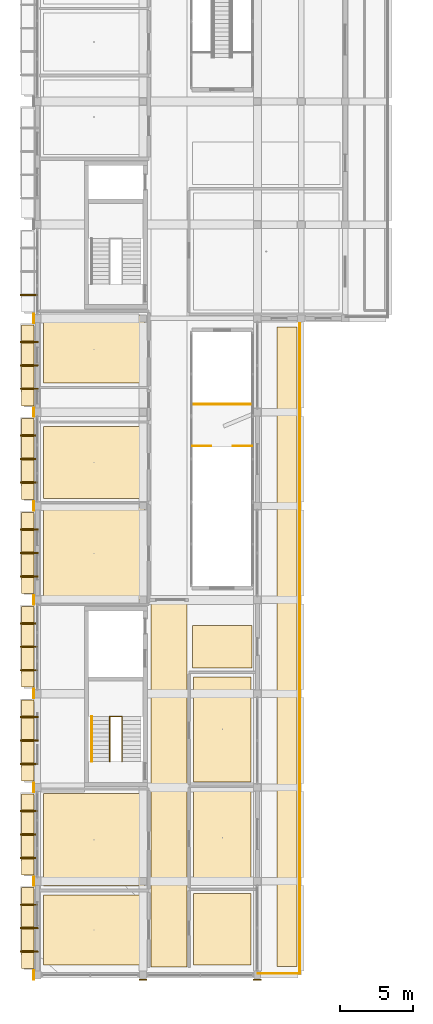
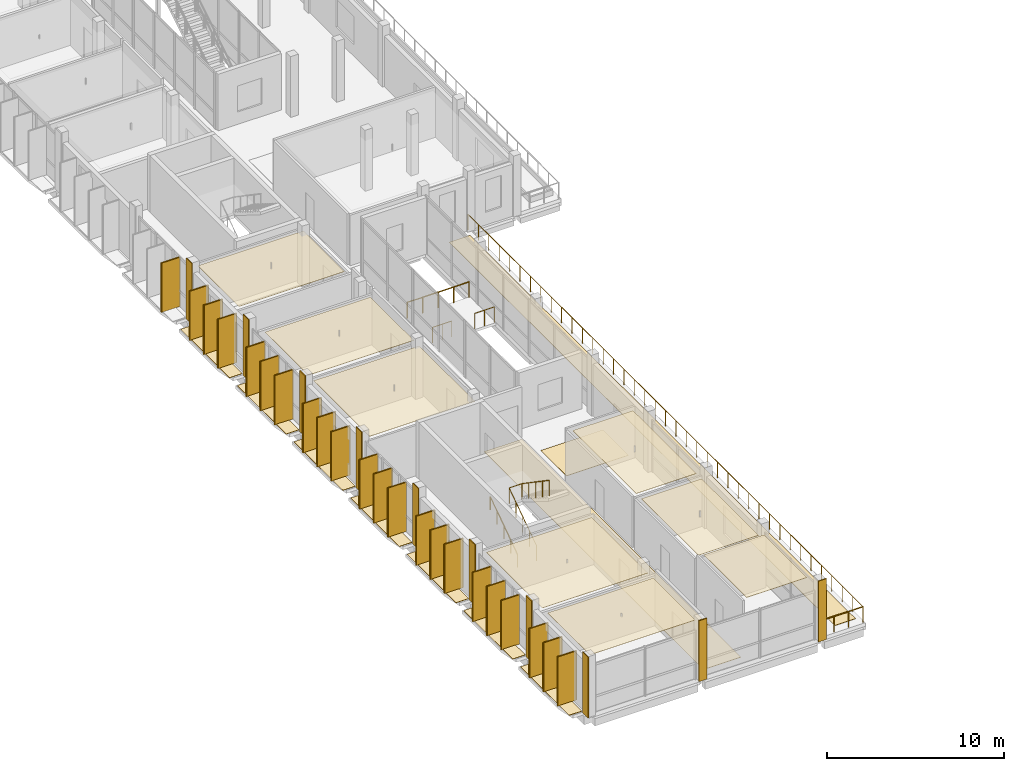
# One storey, part 73 of 85: 50 coverings, 22 shading devices, 7 railings.
"""IFC4 building model written with IfcOpenShell, lengths in metres."""

from ifc_helpers import new_model, si_unit, derived_unit, direction, frame, origin, origin_2d, place, context, subcontext, project, spatial, polyline, rectangle, circle, outline, extrude, material, layer, layer_set, type_object, element, save


model = new_model("IFC4")

# Units and contexts
model_context = context("Model", 3, precision=1e-05, world=origin(), true_north=direction((0.0, 1.0)))
body_context = subcontext(model_context, "Body", "Model", "MODEL_VIEW")
ifc_project = project(units=[si_unit("LENGTHUNIT", "METRE"), si_unit("AREAUNIT", "SQUARE_METRE"), si_unit("VOLUMEUNIT", "CUBIC_METRE"), si_unit("PLANEANGLEUNIT", "RADIAN"), si_unit("MASSUNIT", "GRAM", prefix="KILO"), derived_unit("THERMALTRANSMITTANCEUNIT", [(si_unit("POWERUNIT", "WATT"), 1), (si_unit("LENGTHUNIT", "METRE"), -2), (si_unit("THERMODYNAMICTEMPERATUREUNIT", "KELVIN"), -1)])], contexts=[model_context])

# Site, building, storey
site_placement = place(None, origin())
site = spatial("IfcSite", under=ifc_project, at=site_placement, CompositionType="ELEMENT")
building_placement = place(site_placement, origin())
building = spatial("IfcBuilding", under=site, at=building_placement, Name="Braskholm Square Health Centre", CompositionType="ELEMENT")
storey_placement = place(building_placement, frame((0.0, 0.0, 9.300048828125)))
storey = spatial("IfcBuildingStorey", under=building, at=storey_placement, Name="L03", CompositionType="ELEMENT", Elevation=9.300048828125)

# Coverings
ifc_material_1 = material(Name="Fire-rated gypsum board barrier")
ifc_layer_1 = layer(ifc_material_1, 0.02490234375)
ifc_layer_set_1 = layer_set([ifc_layer_1], Name="Fire-rated gypsum board barrier")
covering_type_1 = type_object("IfcCoveringType", Name="AcousticClinicalCeilingTile", PredefinedType="CEILING", material=ifc_layer_set_1)
covering_1_placement = place(storey_placement, frame((0.0, 0.0, 3.48486328125)))
element("IfcCovering", 1, at=covering_1_placement, inside=storey, type_object=covering_type_1, Name="Acoustic ceiling L03-070", PredefinedType="CEILING", context=body_context, shape_type="SweptSolid", body=[
    extrude(outline(polyline([(4.6201171875, 4.89990234375), (11.5, 4.89990234375), (11.5, 9.669921875), (4.6201171875, 9.669921875), (4.6201171875, 4.89990234375)])), origin(), (0.0, 0.0, 1.0), 0.025146484375),
])
covering_2_placement = place(storey_placement, frame((0.0, 0.0, 3.46484375)))
element("IfcCovering", 2, at=covering_2_placement, inside=storey, type_object=covering_type_1, Name="Acoustic ceiling L03-071", PredefinedType="CEILING", context=body_context, shape_type="SweptSolid", body=[
    extrude(outline(polyline([(4.6201171875, 10.27001953125), (11.5, 10.27001953125), (11.5, 16.60009765625), (4.6201171875, 16.60009765625), (4.6201171875, 10.27001953125)])), origin(), (0.0, 0.0, 1.0), 0.025146484375),
])
covering_3_placement = place(storey_placement, frame((0.0, 0.0, 3.46484375)))
element("IfcCovering", 3, at=covering_3_placement, inside=storey, type_object=covering_type_1, Name="Acoustic ceiling L03-072", PredefinedType="CEILING", context=body_context, shape_type="SweptSolid", body=[
    extrude(outline(polyline([(4.6201171875, 29.800048828125), (11.5, 29.800048828125), (11.5, 36.1201171875), (4.6201171875, 36.1201171875), (4.6201171875, 29.800048828125)])), origin(), (0.0, 0.0, 1.0), 0.025146484375),
])
covering_4_placement = place(storey_placement, frame((0.0, 0.0, 3.48486328125)))
element("IfcCovering", 4, at=covering_4_placement, inside=storey, type_object=covering_type_1, Name="Acoustic ceiling L03-073", PredefinedType="CEILING", context=body_context, shape_type="SweptSolid", body=[
    extrude(outline(polyline([(4.6201171875, 36.719970703125), (11.5, 36.719970703125), (11.5, 41.6298828125), (4.6201171875, 41.6298828125), (4.6201171875, 36.719970703125)])), origin(), (0.0, 0.0, 1.0), 0.025146484375),
])
covering_5_placement = place(storey_placement, frame((0.0, 0.0, 3.46484375)))
element("IfcCovering", 5, at=covering_5_placement, inside=storey, type_object=covering_type_1, Name="Acoustic ceiling L03-075", PredefinedType="CEILING", context=body_context, shape_type="SweptSolid", body=[
    extrude(outline(polyline([(4.6201171875, 44.580078125), (11.5, 44.580078125), (11.5, 49.199951171875), (4.6201171875, 49.199951171875), (4.6201171875, 44.580078125)])), origin(), (0.0, 0.0, 1.0), 0.025146484375),
])
covering_6_placement = place(storey_placement, frame((0.0, 0.0, 3.864990234375)))
element("IfcCovering", 6, at=covering_6_placement, inside=storey, type_object=covering_type_1, Name="Acoustic ceiling L03-090", PredefinedType="CEILING", context=body_context, shape_type="SweptSolid", body=[
    extrude(outline(polyline([(14.85009765625, 4.89990234375), (18.780029296875, 4.89990234375), (18.780029296875, 9.760009765625), (14.85009765625, 9.760009765625), (14.85009765625, 4.89990234375)])), origin(), (0.0, 0.0, 1.0), 0.02490234375),
])
covering_7_placement = place(storey_placement, frame((0.0, 0.0, 3.46484375)))
element("IfcCovering", 7, at=covering_7_placement, inside=storey, type_object=covering_type_1, Name="Acoustic ceiling L03-091", PredefinedType="CEILING", context=body_context, shape_type="SweptSolid", body=[
    extrude(outline(polyline([(14.85009765625, 10.360107421875), (18.780029296875, 10.360107421875), (18.780029296875, 16.7900390625), (14.85009765625, 16.7900390625), (14.85009765625, 10.360107421875)])), origin(), (0.0, 0.0, 1.0), 0.025146484375),
])
covering_8_placement = place(storey_placement, frame((0.0, 0.0, 3.46484375)))
element("IfcCovering", 8, at=covering_8_placement, inside=storey, type_object=covering_type_1, Name="Acoustic ceiling L03-092", PredefinedType="CEILING", context=body_context, shape_type="SweptSolid", body=[
    extrude(outline(polyline([(14.85009765625, 17.389892578125), (18.780029296875, 17.389892578125), (18.780029296875, 24.550048828125), (14.85009765625, 24.550048828125), (14.85009765625, 17.389892578125)])), origin(), (0.0, 0.0, 1.0), 0.025146484375),
])

# Railings
ifc_material_2 = material(Name="Dark patinated chevron architectural bronze", Category="aluminium")
railing_type_1 = type_object("IfcRailingType", Name="BronzeChevronGuardrail1100", PredefinedType="GUARDRAIL", material=ifc_material_2)
railing_1_placement = place(storey_placement, frame((9.1298828125, 18.760009765625, 0.0)))
element("IfcRailing", 9, at=railing_1_placement, inside=storey, type_object=railing_type_1, Name="Stair ST-01 inner well guardrail L03", PredefinedType="GUARDRAIL", context=body_context, shape_type="SweptSolid", body=[
    extrude(circle(Radius=0.02392578125, at=origin_2d()), frame((0.0, 0.0, 1.076171875), z_axis=(0.0, 0.826252282691, 0.563300244406), x_axis=(-1.0, 0.0, 0.0)), (0.0, 0.0, 1.0), 3.727783203125),
    extrude(circle(Radius=0.02392578125, at=origin_2d()), frame((0.0, 3.080078125, 3.17578125), z_axis=(1.0, 0.0, 0.0), x_axis=(0.0, 1.0, 0.0)), (0.0, 0.0, 1.0), 0.840087890625),
    extrude(circle(Radius=0.02392578125, at=origin_2d()), frame((0.840087890625, 3.080078125, 3.17578125), z_axis=(0.0, -0.826221800596, 0.563344953133), x_axis=(1.0, 0.0, 0.0)), (0.0, 0.0, 1.0), 3.72802734375),
    extrude(circle(Radius=0.02099609375, at=origin_2d()), origin(), (0.0, 0.0, 1.0), 1.052001953125),
    extrude(circle(Radius=0.02099609375, at=origin_2d()), frame((0.0, 0.77001953125, 0.52490234375)), (0.0, 0.0, 1.0), 1.052001953125),
    extrude(circle(Radius=0.02099609375, at=origin_2d()), frame((0.0, 1.5400390625, 1.0498046875)), (0.0, 0.0, 1.0), 1.052001953125),
    extrude(circle(Radius=0.02099609375, at=origin_2d()), frame((0.0, 2.31005859375, 1.574951171875)), (0.0, 0.0, 1.0), 1.052001953125),
    extrude(circle(Radius=0.02099609375, at=origin_2d()), frame((0.0, 3.080078125, 2.099853515625)), (0.0, 0.0, 1.0), 1.052001953125),
    extrude(circle(Radius=0.02099609375, at=origin_2d()), frame((0.840087890625, 3.080078125, 2.099853515625)), (0.0, 0.0, 1.0), 1.052001953125),
    extrude(circle(Radius=0.02099609375, at=origin_2d()), frame((0.840087890625, 2.31005859375, 2.625)), (0.0, 0.0, 1.0), 1.052001953125),
    extrude(circle(Radius=0.02099609375, at=origin_2d()), frame((0.840087890625, 1.5400390625, 3.14990234375)), (0.0, 0.0, 1.0), 1.052001953125),
    extrude(circle(Radius=0.02099609375, at=origin_2d()), frame((0.840087890625, 0.77001953125, 3.6748046875)), (0.0, 0.0, 1.0), 1.052001953125),
    extrude(circle(Radius=0.02099609375, at=origin_2d()), frame((0.840087890625, 0.0, 4.199951171875)), (0.0, 0.0, 1.0), 1.052001953125),
])
railing_2_placement = place(storey_placement, frame((14.780029296875, 43.14990234375, 0.0)))
element("IfcRailing", 10, at=railing_2_placement, inside=storey, type_object=railing_type_1, Name="Atrium stair landing edge guard 07", PredefinedType="GUARDRAIL", context=body_context, shape_type="SweptSolid", body=[
    extrude(circle(Radius=0.02392578125, at=origin_2d()), frame((0.0, 0.0, 1.076171875), z_axis=(1.0, 0.0, 0.0), x_axis=(0.0, 1.0, 0.0)), (0.0, 0.0, 1.0), 4.0400390625),
    extrude(circle(Radius=0.02099609375, at=origin_2d()), origin(), (0.0, 0.0, 1.0), 1.052001953125),
    extrude(circle(Radius=0.02099609375, at=origin_2d()), frame((1.010009765625, 0.0, 0.0)), (0.0, 0.0, 1.0), 1.052001953125),
    extrude(circle(Radius=0.02099609375, at=origin_2d()), frame((2.02001953125, 0.0, 0.0)), (0.0, 0.0, 1.0), 1.052001953125),
    extrude(circle(Radius=0.02099609375, at=origin_2d()), frame((3.030029296875, 0.0, 0.0)), (0.0, 0.0, 1.0), 1.052001953125),
    extrude(circle(Radius=0.02099609375, at=origin_2d()), frame((4.0400390625, 0.0, 0.0)), (0.0, 0.0, 1.0), 1.052001953125),
])
for number, where, name in (
    (11, (14.780029296875, 40.300048828125, 0.0), "Atrium stair landing edge guard 08"),
    (12, (17.550048828125, 40.300048828125, 0.0), "Atrium stair landing edge guard 09"),
):
    element("IfcRailing", number, at=place(storey_placement, frame(where)), inside=storey, type_object=railing_type_1, Name=name, PredefinedType="GUARDRAIL", context=body_context, shape_type="SweptSolid", body=[
        extrude(circle(Radius=0.02392578125, at=origin_2d()), frame((0.0, 0.0, 1.076171875), z_axis=(1.0, 0.0, 0.0), x_axis=(0.0, 1.0, 0.0)), (0.0, 0.0, 1.0), 1.27001953125),
        extrude(circle(Radius=0.02099609375, at=origin_2d()), origin(), (0.0, 0.0, 1.0), 1.052001953125),
        extrude(circle(Radius=0.02099609375, at=origin_2d()), frame((0.635009765625, 0.0, 0.0)), (0.0, 0.0, 1.0), 1.052001953125),
        extrude(circle(Radius=0.02099609375, at=origin_2d()), frame((1.27001953125, 0.0, 0.0)), (0.0, 0.0, 1.0), 1.052001953125),
    ])
railing_3_placement = place(storey_placement, frame((19.25, 4.300048828125, 0.0)))
element("IfcRailing", 13, at=railing_3_placement, inside=storey, type_object=railing_type_1, Name="Bronze chevron guardrail 0023 L03", PredefinedType="GUARDRAIL", context=body_context, shape_type="SweptSolid", body=[
    extrude(circle(Radius=0.02392578125, at=origin_2d()), frame((0.0, 0.0, 1.076171875), z_axis=(1.0, 0.0, 0.0), x_axis=(0.0, 1.0, 0.0)), (0.0, 0.0, 1.0), 2.85009765625),
    extrude(circle(Radius=0.02099609375, at=origin_2d()), origin(), (0.0, 0.0, 1.0), 1.052001953125),
    extrude(circle(Radius=0.02099609375, at=origin_2d()), frame((0.949951171875, 0.0, 0.0)), (0.0, 0.0, 1.0), 1.052001953125),
    extrude(circle(Radius=0.02099609375, at=origin_2d()), frame((1.900146484375, 0.0, 0.0)), (0.0, 0.0, 1.0), 1.052001953125),
    extrude(circle(Radius=0.02099609375, at=origin_2d()), frame((2.85009765625, 0.0, 0.0)), (0.0, 0.0, 1.0), 1.052001953125),
])
railing_4_placement = place(storey_placement, frame((22.10009765625, 4.300048828125, 0.0)))
element("IfcRailing", 14, at=railing_4_placement, inside=storey, type_object=railing_type_1, Name="Bronze chevron guardrail 0024 L03", PredefinedType="GUARDRAIL", context=body_context, shape_type="SweptSolid", body=[
    extrude(circle(Radius=0.02392578125, at=origin_2d()), frame((0.0, 0.0, 1.076171875), z_axis=(0.0, 1.0, 0.0), x_axis=(-1.0, 0.0, 0.0)), (0.0, 0.0, 1.0), 44.64990234375),
    extrude(circle(Radius=0.02099609375, at=origin_2d()), origin(), (0.0, 0.0, 1.0), 1.052001953125),
    extrude(circle(Radius=0.02099609375, at=origin_2d()), frame((0.0, 1.175048828125, 0.0)), (0.0, 0.0, 1.0), 1.052001953125),
    extrude(circle(Radius=0.02099609375, at=origin_2d()), frame((0.0, 2.35009765625, 0.0)), (0.0, 0.0, 1.0), 1.052001953125),
    extrude(circle(Radius=0.02099609375, at=origin_2d()), frame((0.0, 3.52490234375, 0.0)), (0.0, 0.0, 1.0), 1.052001953125),
    extrude(circle(Radius=0.02099609375, at=origin_2d()), frame((0.0, 4.699951171875, 0.0)), (0.0, 0.0, 1.0), 1.052001953125),
    extrude(circle(Radius=0.02099609375, at=origin_2d()), frame((0.0, 5.875, 0.0)), (0.0, 0.0, 1.0), 1.052001953125),
    extrude(circle(Radius=0.02099609375, at=origin_2d()), frame((0.0, 7.050048828125, 0.0)), (0.0, 0.0, 1.0), 1.052001953125),
    extrude(circle(Radius=0.02099609375, at=origin_2d()), frame((0.0, 8.22509765625, 0.0)), (0.0, 0.0, 1.0), 1.052001953125),
    extrude(circle(Radius=0.02099609375, at=origin_2d()), frame((0.0, 9.39990234375, 0.0)), (0.0, 0.0, 1.0), 1.052001953125),
    extrude(circle(Radius=0.02099609375, at=origin_2d()), frame((0.0, 10.574951171875, 0.0)), (0.0, 0.0, 1.0), 1.052001953125),
    extrude(circle(Radius=0.02099609375, at=origin_2d()), frame((0.0, 11.75, 0.0)), (0.0, 0.0, 1.0), 1.052001953125),
    extrude(circle(Radius=0.02099609375, at=origin_2d()), frame((0.0, 12.925048828125, 0.0)), (0.0, 0.0, 1.0), 1.052001953125),
    extrude(circle(Radius=0.02099609375, at=origin_2d()), frame((0.0, 14.099853515625, 0.0)), (0.0, 0.0, 1.0), 1.052001953125),
    extrude(circle(Radius=0.02099609375, at=origin_2d()), frame((0.0, 15.27490234375, 0.0)), (0.0, 0.0, 1.0), 1.052001953125),
    extrude(circle(Radius=0.02099609375, at=origin_2d()), frame((0.0, 16.449951171875, 0.0)), (0.0, 0.0, 1.0), 1.052001953125),
    extrude(circle(Radius=0.02099609375, at=origin_2d()), frame((0.0, 17.625, 0.0)), (0.0, 0.0, 1.0), 1.052001953125),
    extrude(circle(Radius=0.02099609375, at=origin_2d()), frame((0.0, 18.800048828125, 0.0)), (0.0, 0.0, 1.0), 1.052001953125),
    extrude(circle(Radius=0.02099609375, at=origin_2d()), frame((0.0, 19.974853515625, 0.0)), (0.0, 0.0, 1.0), 1.052001953125),
    extrude(circle(Radius=0.02099609375, at=origin_2d()), frame((0.0, 21.14990234375, 0.0)), (0.0, 0.0, 1.0), 1.052001953125),
    extrude(circle(Radius=0.02099609375, at=origin_2d()), frame((0.0, 22.324951171875, 0.0)), (0.0, 0.0, 1.0), 1.052001953125),
    extrude(circle(Radius=0.02099609375, at=origin_2d()), frame((0.0, 23.5, 0.0)), (0.0, 0.0, 1.0), 1.052001953125),
    extrude(circle(Radius=0.02099609375, at=origin_2d()), frame((0.0, 24.675048828125, 0.0)), (0.0, 0.0, 1.0), 1.052001953125),
    extrude(circle(Radius=0.02099609375, at=origin_2d()), frame((0.0, 25.849853515625, 0.0)), (0.0, 0.0, 1.0), 1.052001953125),
    extrude(circle(Radius=0.02099609375, at=origin_2d()), frame((0.0, 27.02490234375, 0.0)), (0.0, 0.0, 1.0), 1.052001953125),
    extrude(circle(Radius=0.02099609375, at=origin_2d()), frame((0.0, 28.199951171875, 0.0)), (0.0, 0.0, 1.0), 1.052001953125),
    extrude(circle(Radius=0.02099609375, at=origin_2d()), frame((0.0, 29.375, 0.0)), (0.0, 0.0, 1.0), 1.052001953125),
    extrude(circle(Radius=0.02099609375, at=origin_2d()), frame((0.0, 30.550048828125, 0.0)), (0.0, 0.0, 1.0), 1.052001953125),
    extrude(circle(Radius=0.02099609375, at=origin_2d()), frame((0.0, 31.724853515625, 0.0)), (0.0, 0.0, 1.0), 1.052001953125),
    extrude(circle(Radius=0.02099609375, at=origin_2d()), frame((0.0, 32.89990234375, 0.0)), (0.0, 0.0, 1.0), 1.052001953125),
    extrude(circle(Radius=0.02099609375, at=origin_2d()), frame((0.0, 34.074951171875, 0.0)), (0.0, 0.0, 1.0), 1.052001953125),
    extrude(circle(Radius=0.02099609375, at=origin_2d()), frame((0.0, 35.25, 0.0)), (0.0, 0.0, 1.0), 1.052001953125),
    extrude(circle(Radius=0.02099609375, at=origin_2d()), frame((0.0, 36.4248046875, 0.0)), (0.0, 0.0, 1.0), 1.052001953125),
    extrude(circle(Radius=0.02099609375, at=origin_2d()), frame((0.0, 37.599853515625, 0.0)), (0.0, 0.0, 1.0), 1.052001953125),
    extrude(circle(Radius=0.02099609375, at=origin_2d()), frame((0.0, 38.77490234375, 0.0)), (0.0, 0.0, 1.0), 1.052001953125),
    extrude(circle(Radius=0.02099609375, at=origin_2d()), frame((0.0, 39.949951171875, 0.0)), (0.0, 0.0, 1.0), 1.052001953125),
    extrude(circle(Radius=0.02099609375, at=origin_2d()), frame((0.0, 41.125, 0.0)), (0.0, 0.0, 1.0), 1.052001953125),
    extrude(circle(Radius=0.02099609375, at=origin_2d()), frame((0.0, 42.2998046875, 0.0)), (0.0, 0.0, 1.0), 1.052001953125),
    extrude(circle(Radius=0.02099609375, at=origin_2d()), frame((0.0, 43.474853515625, 0.0)), (0.0, 0.0, 1.0), 1.052001953125),
    extrude(circle(Radius=0.02099609375, at=origin_2d()), frame((0.0, 44.64990234375, 0.0)), (0.0, 0.0, 1.0), 1.052001953125),
])

# Shading devices
ifc_material_3 = material(Name="Thermally modified western red cedar with bronze trim", Category="wood")
shading_device_type = type_object("IfcShadingDeviceType", Name="CedarBronzeShadingFin1250", PredefinedType="USERDEFINED", material=ifc_material_3)
for number, where, z_axis, x_axis, name in (
    (15, (3.635009765625, 5.800048828125, 0.0), (0.0, 0.0, 1.0), (1.0, 0.0, 0.0), "Warm cedar-bronze vertical shading slat 0052"),
    (16, (3.635009765625, 7.39990234375, 0.0), (0.0, 0.0, 1.0), (1.0, 0.0, 0.0), "Warm cedar-bronze vertical shading slat 0053"),
    (17, (3.635009765625, 9.0, 0.0), (0.0, 0.0, 1.0), (1.0, 0.0, 0.0), "Warm cedar-bronze vertical shading slat 0054"),
    (18, (3.635009765625, 12.199951171875, 0.0), (0.0, 0.0, 1.0), (1.0, 0.0, 0.0), "Warm cedar-bronze vertical shading slat 0055"),
    (19, (3.635009765625, 13.800048828125, 0.0), (0.0, 0.0, 1.0), (1.0, 0.0, 0.0), "Warm cedar-bronze vertical shading slat 0056"),
    (20, (3.635009765625, 15.39990234375, 0.0), (0.0, 0.0, 1.0), (1.0, 0.0, 0.0), "Warm cedar-bronze vertical shading slat 0057"),
    (21, (3.635009765625, 18.60009765625, 0.0), (0.0, 0.0, 1.0), (1.0, 0.0, 0.0), "Warm cedar-bronze vertical shading slat 0058"),
    (22, (3.635009765625, 20.199951171875, 0.0), (0.0, 0.0, 1.0), (1.0, 0.0, 0.0), "Warm cedar-bronze vertical shading slat 0059"),
    (23, (3.635009765625, 21.800048828125, 0.0), (0.0, 0.0, 1.0), (1.0, 0.0, 0.0), "Warm cedar-bronze vertical shading slat 0060"),
    (24, (3.635009765625, 25.0, 0.0), (0.0, 0.0, 1.0), (1.0, 0.0, 0.0), "Warm cedar-bronze vertical shading slat 0061"),
    (25, (3.635009765625, 26.60009765625, 0.0), (0.0, 0.0, 1.0), (1.0, 0.0, 0.0), "Warm cedar-bronze vertical shading slat 0062"),
    (26, (3.635009765625, 28.199951171875, 0.0), (0.0, 0.0, 1.0), (1.0, 0.0, 0.0), "Warm cedar-bronze vertical shading slat 0063"),
    (27, (3.635009765625, 31.39990234375, 0.0), (0.0, 0.0, 1.0), (1.0, 0.0, 0.0), "Warm cedar-bronze vertical shading slat 0064"),
    (28, (3.635009765625, 33.0, 0.0), (0.0, 0.0, 1.0), (1.0, 0.0, 0.0), "Warm cedar-bronze vertical shading slat 0065"),
    (29, (3.635009765625, 34.60009765625, 0.0), (0.0, 0.0, 1.0), (1.0, 0.0, 0.0), "Warm cedar-bronze vertical shading slat 0066"),
    (30, (3.635009765625, 37.800048828125, 0.0), (0.0, 0.0, 1.0), (1.0, 0.0, 0.0), "Warm cedar-bronze vertical shading slat 0067"),
    (31, (3.635009765625, 39.39990234375, 0.0), (0.0, 0.0, 1.0), (1.0, 0.0, 0.0), "Warm cedar-bronze vertical shading slat 0068"),
    (32, (3.635009765625, 41.0, 0.0), (0.0, 0.0, 1.0), (1.0, 0.0, 0.0), "Warm cedar-bronze vertical shading slat 0069"),
    (33, (3.635009765625, 44.199951171875, 0.0), (0.0, 0.0, 1.0), (1.0, 0.0, 0.0), "Warm cedar-bronze vertical shading slat 0070"),
    (34, (3.635009765625, 45.800048828125, 0.0), (0.0, 0.0, 1.0), (1.0, 0.0, 0.0), "Warm cedar-bronze vertical shading slat 0071"),
    (35, (3.635009765625, 47.39990234375, 0.0), (0.0, 0.0, 1.0), (1.0, 0.0, 0.0), "Warm cedar-bronze vertical shading slat 0072"),
    (36, (3.635009765625, 50.60009765625, 0.0), (0.0, 0.0, 1.0), (1.0, 0.0, 0.0), "Warm cedar-bronze vertical shading slat 0073"),
):
    element("IfcShadingDevice", number, at=place(storey_placement, frame(where, z_axis=z_axis, x_axis=x_axis)), inside=storey, type_object=shading_device_type, Name=name, ObjectType="FIN", PredefinedType="USERDEFINED", context=body_context, shape_type="SweptSolid", body=[
        extrude(rectangle(XDim=1.25, YDim=0.0849609375, at=origin_2d()), origin(), (0.0, 0.0, 1.0), 3.39990234375),
    ])

# Coverings
ifc_layer_2 = layer(ifc_material_3, 0.0849609375)
ifc_layer_set_2 = layer_set([ifc_layer_2], Name="Thermally modified western red cedar with bronze trim")
covering_type_2 = type_object("IfcCoveringType", Name="CedarBronzeSlatCladding", PredefinedType="CLADDING", material=ifc_layer_set_2)
for number, where, z_axis, x_axis, name in (
    (37, (3.6298828125, 5.800048828125, 0.0), (0.0, 0.0, 1.0), (1.0, 0.0, 0.0), "Cedar-bronze shading slat trim 0463"),
    (38, (3.6298828125, 7.39990234375, 0.0), (0.0, 0.0, 1.0), (1.0, 0.0, 0.0), "Cedar-bronze shading slat trim 0464"),
    (39, (3.6298828125, 9.0, 0.0), (0.0, 0.0, 1.0), (1.0, 0.0, 0.0), "Cedar-bronze shading slat trim 0465"),
    (40, (3.6298828125, 12.199951171875, 0.0), (0.0, 0.0, 1.0), (1.0, 0.0, 0.0), "Cedar-bronze shading slat trim 0467"),
    (41, (3.6298828125, 13.800048828125, 0.0), (0.0, 0.0, 1.0), (1.0, 0.0, 0.0), "Cedar-bronze shading slat trim 0468"),
    (42, (3.6298828125, 15.39990234375, 0.0), (0.0, 0.0, 1.0), (1.0, 0.0, 0.0), "Cedar-bronze shading slat trim 0469"),
    (43, (3.6298828125, 18.60009765625, 0.0), (0.0, 0.0, 1.0), (1.0, 0.0, 0.0), "Cedar-bronze shading slat trim 0471"),
    (44, (3.6298828125, 20.199951171875, 0.0), (0.0, 0.0, 1.0), (1.0, 0.0, 0.0), "Cedar-bronze shading slat trim 0472"),
    (45, (3.6298828125, 21.800048828125, 0.0), (0.0, 0.0, 1.0), (1.0, 0.0, 0.0), "Cedar-bronze shading slat trim 0473"),
    (46, (3.6298828125, 25.0, 0.0), (0.0, 0.0, 1.0), (1.0, 0.0, 0.0), "Cedar-bronze shading slat trim 0475"),
    (47, (3.6298828125, 26.60009765625, 0.0), (0.0, 0.0, 1.0), (1.0, 0.0, 0.0), "Cedar-bronze shading slat trim 0476"),
    (48, (3.6298828125, 28.199951171875, 0.0), (0.0, 0.0, 1.0), (1.0, 0.0, 0.0), "Cedar-bronze shading slat trim 0477"),
    (49, (3.6298828125, 31.39990234375, 0.0), (0.0, 0.0, 1.0), (1.0, 0.0, 0.0), "Cedar-bronze shading slat trim 0479"),
    (50, (3.6298828125, 33.0, 0.0), (0.0, 0.0, 1.0), (1.0, 0.0, 0.0), "Cedar-bronze shading slat trim 0480"),
    (51, (3.6298828125, 34.60009765625, 0.0), (0.0, 0.0, 1.0), (1.0, 0.0, 0.0), "Cedar-bronze shading slat trim 0481"),
    (52, (3.6298828125, 37.800048828125, 0.0), (0.0, 0.0, 1.0), (1.0, 0.0, 0.0), "Cedar-bronze shading slat trim 0483"),
    (53, (3.6298828125, 39.39990234375, 0.0), (0.0, 0.0, 1.0), (1.0, 0.0, 0.0), "Cedar-bronze shading slat trim 0484"),
    (54, (3.6298828125, 41.0, 0.0), (0.0, 0.0, 1.0), (1.0, 0.0, 0.0), "Cedar-bronze shading slat trim 0485"),
    (55, (3.6298828125, 44.199951171875, 0.0), (0.0, 0.0, 1.0), (1.0, 0.0, 0.0), "Cedar-bronze shading slat trim 0487"),
    (56, (3.6298828125, 45.800048828125, 0.0), (0.0, 0.0, 1.0), (1.0, 0.0, 0.0), "Cedar-bronze shading slat trim 0488"),
    (57, (3.6298828125, 47.39990234375, 0.0), (0.0, 0.0, 1.0), (1.0, 0.0, 0.0), "Cedar-bronze shading slat trim 0489"),
    (58, (3.6298828125, 50.60009765625, 0.0), (0.0, 0.0, 1.0), (1.0, 0.0, 0.0), "Cedar-bronze shading slat trim 0491"),
):
    element("IfcCovering", number, at=place(storey_placement, frame(where, z_axis=z_axis, x_axis=x_axis)), inside=storey, type_object=covering_type_2, Name=name, PredefinedType="CLADDING", context=body_context, shape_type="SweptSolid", body=[
        extrude(rectangle(XDim=1.179931640625, YDim=0.094970703125, at=origin_2d()), origin(), (0.0, 0.0, 1.0), 3.39990234375),
    ])
ifc_material_4 = material(Name="Intensive botanical sedum and native prairie garden bed")
ifc_layer_3 = layer(ifc_material_4, 0.02490234375)
ifc_layer_set_3 = layer_set([ifc_layer_3], Name="Intensive botanical sedum and native prairie garden bed")
covering_type_3 = type_object("IfcCoveringType", Name="PlantedTerraceGardenBed", PredefinedType="ROOFING", material=ifc_layer_set_3)
covering_9_placement = place(storey_placement, origin())
element("IfcCovering", 59, at=covering_9_placement, inside=storey, type_object=covering_type_3, Name="West floor planter ledge sedum strip 0466", PredefinedType="ROOFING", context=body_context, shape_type="SweptSolid", body=[
    extrude(outline(polyline([(3.1201171875, 4.639892578125), (3.949951171875, 4.639892578125), (3.949951171875, 10.159912109375), (3.1201171875, 10.159912109375), (3.1201171875, 4.639892578125)])), origin(), (0.0, 0.0, 1.0), 0.02490234375),
])
covering_10_placement = place(storey_placement, origin())
element("IfcCovering", 60, at=covering_10_placement, inside=storey, type_object=covering_type_3, Name="West floor planter ledge sedum strip 0470", PredefinedType="ROOFING", context=body_context, shape_type="SweptSolid", body=[
    extrude(outline(polyline([(3.1201171875, 11.0400390625), (3.949951171875, 11.0400390625), (3.949951171875, 16.56005859375), (3.1201171875, 16.56005859375), (3.1201171875, 11.0400390625)])), origin(), (0.0, 0.0, 1.0), 0.02490234375),
])
covering_11_placement = place(storey_placement, origin())
element("IfcCovering", 61, at=covering_11_placement, inside=storey, type_object=covering_type_3, Name="West floor planter ledge sedum strip 0474", PredefinedType="ROOFING", context=body_context, shape_type="SweptSolid", body=[
    extrude(outline(polyline([(3.1201171875, 17.43994140625), (3.949951171875, 17.43994140625), (3.949951171875, 22.9599609375), (3.1201171875, 22.9599609375), (3.1201171875, 17.43994140625)])), origin(), (0.0, 0.0, 1.0), 0.02490234375),
])
covering_12_placement = place(storey_placement, origin())
element("IfcCovering", 62, at=covering_12_placement, inside=storey, type_object=covering_type_3, Name="West floor planter ledge sedum strip 0478", PredefinedType="ROOFING", context=body_context, shape_type="SweptSolid", body=[
    extrude(outline(polyline([(3.1201171875, 23.840087890625), (3.949951171875, 23.840087890625), (3.949951171875, 29.360107421875), (3.1201171875, 29.360107421875), (3.1201171875, 23.840087890625)])), origin(), (0.0, 0.0, 1.0), 0.02490234375),
])
covering_13_placement = place(storey_placement, origin())
element("IfcCovering", 63, at=covering_13_placement, inside=storey, type_object=covering_type_3, Name="West floor planter ledge sedum strip 0482", PredefinedType="ROOFING", context=body_context, shape_type="SweptSolid", body=[
    extrude(outline(polyline([(3.1201171875, 30.239990234375), (3.949951171875, 30.239990234375), (3.949951171875, 35.760009765625), (3.1201171875, 35.760009765625), (3.1201171875, 30.239990234375)])), origin(), (0.0, 0.0, 1.0), 0.02490234375),
])
covering_14_placement = place(storey_placement, origin())
element("IfcCovering", 64, at=covering_14_placement, inside=storey, type_object=covering_type_3, Name="West floor planter ledge sedum strip 0486", PredefinedType="ROOFING", context=body_context, shape_type="SweptSolid", body=[
    extrude(outline(polyline([(3.1201171875, 36.639892578125), (3.949951171875, 36.639892578125), (3.949951171875, 42.159912109375), (3.1201171875, 42.159912109375), (3.1201171875, 36.639892578125)])), origin(), (0.0, 0.0, 1.0), 0.02490234375),
])
covering_15_placement = place(storey_placement, origin())
element("IfcCovering", 65, at=covering_15_placement, inside=storey, type_object=covering_type_3, Name="West floor planter ledge sedum strip 0490", PredefinedType="ROOFING", context=body_context, shape_type="SweptSolid", body=[
    extrude(outline(polyline([(3.1201171875, 43.0400390625), (3.949951171875, 43.0400390625), (3.949951171875, 48.56005859375), (3.1201171875, 48.56005859375), (3.1201171875, 43.0400390625)])), origin(), (0.0, 0.0, 1.0), 0.02490234375),
])
covering_16_placement = place(storey_placement, origin())
element("IfcCovering", 66, at=covering_16_placement, inside=storey, type_object=covering_type_3, Name="Planted therapy terrace garden bed 0908", PredefinedType="ROOFING", context=body_context, shape_type="SweptSolid", body=[
    extrude(outline(polyline([(20.550048828125, 4.800048828125), (21.89990234375, 4.800048828125), (21.89990234375, 48.39990234375), (20.550048828125, 48.39990234375), (20.550048828125, 4.800048828125)])), origin(), (0.0, 0.0, 1.0), 0.02490234375),
])
ifc_material_5 = material(Name="Polished geometric terrazzo flooring", Category="masonry")
ifc_layer_4 = layer(ifc_material_5, 0.02001953125)
ifc_layer_set_4 = layer_set([ifc_layer_4], Name="Polished geometric terrazzo flooring")
covering_type_4 = type_object("IfcCoveringType", Name="PolishedTerrazzoFloorFinish", PredefinedType="FLOORING", material=ifc_layer_set_4)
covering_17_placement = place(storey_placement, origin())
element("IfcCovering", 67, at=covering_17_placement, inside=storey, type_object=covering_type_4, Name="Polished terrazzo floor L03-068", PredefinedType="FLOORING", context=body_context, shape_type="SweptSolid", body=[
    extrude(outline(polyline([(11.949951171875, 4.75), (14.39990234375, 4.75), (14.39990234375, 29.550048828125), (11.949951171875, 29.550048828125), (11.949951171875, 4.75)])), origin(), (0.0, 0.0, 1.0), 0.02001953125),
])
covering_18_placement = place(storey_placement, origin())
element("IfcCovering", 68, at=covering_18_placement, inside=storey, type_object=covering_type_4, Name="Polished terrazzo floor L03-086", PredefinedType="FLOORING", context=body_context, shape_type="SweptSolid", body=[
    extrude(outline(polyline([(14.780029296875, 25.14990234375), (18.830078125, 25.14990234375), (18.830078125, 28.050048828125), (14.780029296875, 28.050048828125), (14.780029296875, 25.14990234375)])), origin(), (0.0, 0.0, 1.0), 0.02001953125),
])
ifc_material_6 = material(Name="Precast concrete C40/50 architectural white", Category="concrete")
ifc_layer_5 = layer(ifc_material_6, 0.054931640625)
ifc_layer_set_5 = layer_set([ifc_layer_5], Name="Precast concrete C40/50 architectural white")
covering_type_5 = type_object("IfcCoveringType", Name="PrecastWhiteColumnCasing", PredefinedType="CLADDING", material=ifc_layer_set_5)
for number, where, z_axis, x_axis, name in (
    (69, (3.945068359375, 4.199951171875, 0.0), (0.0, 0.0, 1.0), (1.0, 0.0, 0.0), "Giant-order white precast column casing 0003"),
    (70, (3.945068359375, 10.60009765625, 0.0), (0.0, 0.0, 1.0), (1.0, 0.0, 0.0), "Giant-order white precast column casing 0012"),
    (71, (3.945068359375, 17.0, 0.0), (0.0, 0.0, 1.0), (1.0, 0.0, 0.0), "Giant-order white precast column casing 0021"),
    (72, (3.945068359375, 23.39990234375, 0.0), (0.0, 0.0, 1.0), (1.0, 0.0, 0.0), "Giant-order white precast column casing 0030"),
    (73, (3.945068359375, 29.800048828125, 0.0), (0.0, 0.0, 1.0), (1.0, 0.0, 0.0), "Giant-order white precast column casing 0039"),
    (74, (3.945068359375, 36.199951171875, 0.0), (0.0, 0.0, 1.0), (1.0, 0.0, 0.0), "Giant-order white precast column casing 0048"),
    (75, (3.945068359375, 42.60009765625, 0.0), (0.0, 0.0, 1.0), (1.0, 0.0, 0.0), "Giant-order white precast column casing 0057"),
    (76, (3.945068359375, 49.0, 0.0), (0.0, 0.0, 1.0), (1.0, 0.0, 0.0), "Giant-order white precast column casing 0066"),
):
    element("IfcCovering", number, at=place(storey_placement, frame(where, z_axis=z_axis, x_axis=x_axis)), inside=storey, type_object=covering_type_5, Name=name, PredefinedType="CLADDING", context=body_context, shape_type="SweptSolid", body=[
        extrude(rectangle(XDim=0.06005859375, YDim=0.639892578125, at=origin_2d()), origin(), (0.0, 0.0, 1.0), 4.199951171875),
    ])
for number, where, z_axis, x_axis, name in (
    (77, (11.39990234375, 3.89501953125, 0.0), (0.0, 0.0, 1.0), (1.0, 0.0, 0.0), "Giant-order white precast column casing 0156"),
    (78, (19.199951171875, 3.89501953125, 0.0), (0.0, 0.0, 1.0), (1.0, 0.0, 0.0), "Giant-order white precast column casing 0168"),
):
    element("IfcCovering", number, at=place(storey_placement, frame(where, z_axis=z_axis, x_axis=x_axis)), inside=storey, type_object=covering_type_5, Name=name, PredefinedType="CLADDING", context=body_context, shape_type="SweptSolid", body=[
        extrude(rectangle(XDim=0.5400390625, YDim=0.06005859375, at=origin_2d()), origin(), (0.0, 0.0, 1.0), 4.199951171875),
    ])

# Railing
railing_type_2 = type_object("IfcRailingType", Name="StairTubularHandrail915", PredefinedType="HANDRAIL", material=ifc_material_2)
railing_5_placement = place(storey_placement, frame((7.89990234375, 18.760009765625, 0.0)))
element("IfcRailing", 79, at=railing_5_placement, inside=storey, type_object=railing_type_2, Name="Stair ST-01 wall handrail F1 L03", PredefinedType="HANDRAIL", context=body_context, shape_type="SweptSolid", body=[
    extrude(circle(Radius=0.02392578125, at=origin_2d()), frame((0.0, 0.0, 0.89111328125), z_axis=(0.0, 0.826252282691, 0.563300244406), x_axis=(-1.0, 0.0, 0.0)), (0.0, 0.0, 1.0), 3.727783203125),
    extrude(circle(Radius=0.02099609375, at=origin_2d()), origin(), (0.0, 0.0, 1.0), 0.866943359375),
    extrude(circle(Radius=0.02099609375, at=origin_2d()), frame((0.0, 0.77001953125, 0.52490234375)), (0.0, 0.0, 1.0), 0.866943359375),
    extrude(circle(Radius=0.02099609375, at=origin_2d()), frame((0.0, 1.5400390625, 1.0498046875)), (0.0, 0.0, 1.0), 0.866943359375),
    extrude(circle(Radius=0.02099609375, at=origin_2d()), frame((0.0, 2.31005859375, 1.574951171875)), (0.0, 0.0, 1.0), 0.866943359375),
    extrude(circle(Radius=0.02099609375, at=origin_2d()), frame((0.0, 3.080078125, 2.099853515625)), (0.0, 0.0, 1.0), 0.866943359375),
])

save(model, "model.ifc")
